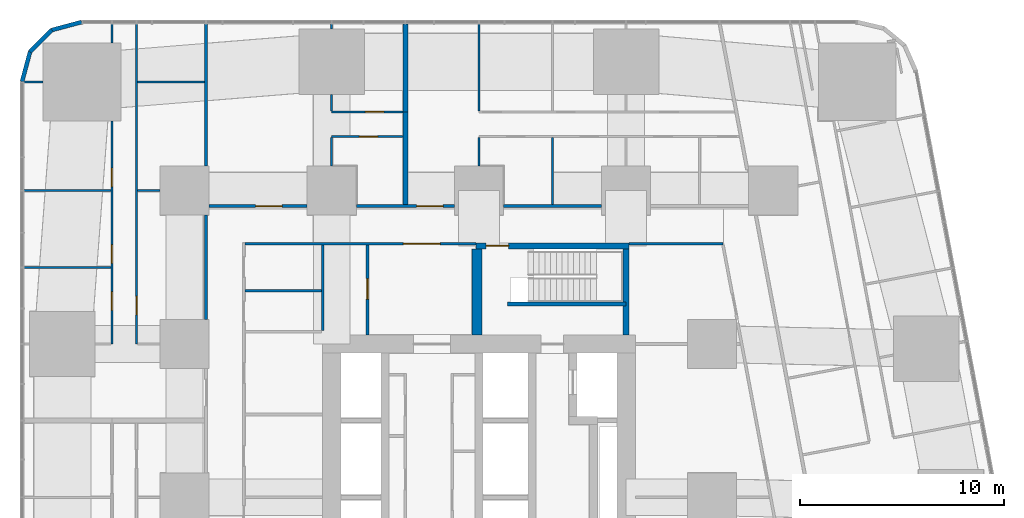
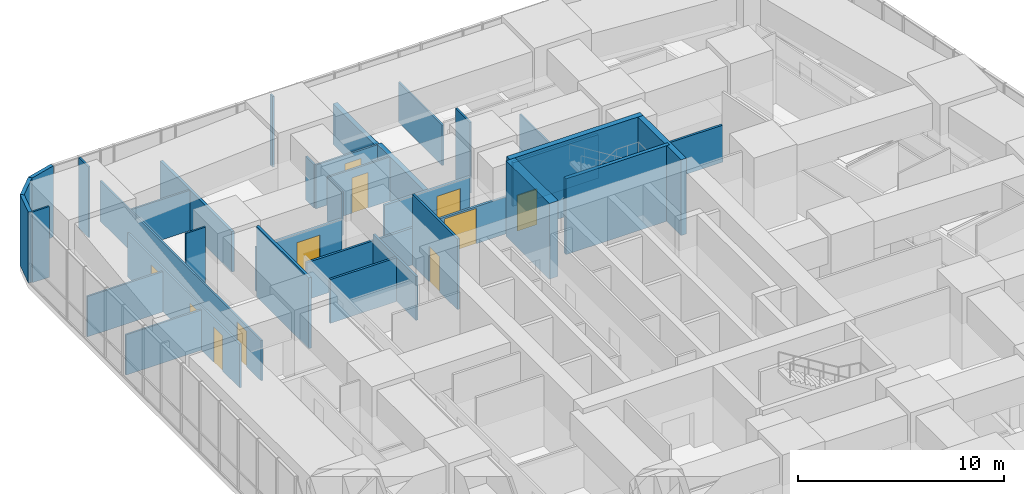
# One storey, part 18 of 23: 35 walls, 11 doors, 11 openings.
"""IFC4 building model written with IfcOpenShell, lengths in metres."""

from ifc_helpers import new_model, si_unit, direction, frame, frame_2d, origin, place, context, subcontext, project, spatial, rectangle, extrude, material, layer, layer_set, type_object, element, fill, save


model = new_model("IFC4")

# Units and contexts
model_context = context("Model", 3, precision=1e-05, world=origin(), true_north=direction((0.0, 1.0)))
body_context = subcontext(model_context, "Body", "Model", "MODEL_VIEW")
ifc_project = project(units=[si_unit("LENGTHUNIT", "METRE"), si_unit("AREAUNIT", "SQUARE_METRE"), si_unit("VOLUMEUNIT", "CUBIC_METRE"), si_unit("PLANEANGLEUNIT", "RADIAN"), si_unit("MASSUNIT", "GRAM", prefix="KILO")], contexts=[model_context])

# Site, building, storey
site_placement = place(None, origin())
site = spatial("IfcSite", under=ifc_project, at=site_placement, CompositionType="ELEMENT")
building_placement = place(site_placement, origin())
building = spatial("IfcBuilding", under=site, at=building_placement, Name="Sheger Commons Tower", CompositionType="ELEMENT")
storey_placement = place(building_placement, frame((0.0, 0.0, 5.60009765625)))
storey = spatial("IfcBuildingStorey", under=building, at=storey_placement, Name="L01", CompositionType="ELEMENT", Elevation=5.60009765625)

# Walls
ifc_material_1 = material(Name="Hollow concrete block masonry, skimmed both sides", Category="masonry")
ifc_layer_1 = layer(ifc_material_1, 0.14990234375)
ifc_layer_set_1 = layer_set([ifc_layer_1], Name="CORRIDOR WALL 150")
wall_type_1 = type_object("IfcWallType", Name="CORRIDOR WALL 150", PredefinedType="SOLIDWALL", material=ifc_layer_set_1)
wall_1_placement = place(storey_placement, frame((8.25, 31.200927734375, 0.0), z_axis=(0.0, 0.0, 1.0), x_axis=(0.0, 1.0, 0.0)))
element("IfcWall", 1, at=wall_1_placement, inside=storey, type_object=wall_type_1, Name="Corridor wall L01", PredefinedType="SOLIDWALL", context=body_context, shape_type="SweptSolid", body=[
    extrude(rectangle(XDim=5.09814453125, YDim=0.14990234375, at=frame_2d((2.549072265625, 0.0))), origin(), (0.0, 0.0, 1.0), 4.199951171875),
])
wall_2_placement = place(storey_placement, frame((8.25, 38.700927734375, 0.0), z_axis=(0.0, 0.0, 1.0), x_axis=(0.0, 1.0, 0.0)))
element("IfcWall", 2, at=wall_2_placement, inside=storey, type_object=wall_type_1, Name="Corridor wall L01", PredefinedType="SOLIDWALL", context=body_context, shape_type="SweptSolid", body=[
    extrude(rectangle(XDim=6.948974609375, YDim=0.14990234375, at=frame_2d((3.474609375, 0.0))), origin(), (0.0, 0.0, 1.0), 2.39990234375),
])

# Wall, opening, door
wall_3_placement = place(storey_placement, frame((8.40087890625, 36.75, 0.0), z_axis=(0.0, 0.0, 1.0), x_axis=(1.0, 0.0, 0.0)))
wall_3 = element("IfcWall", 3, at=wall_3_placement, inside=storey, type_object=wall_type_1, Name="Corridor wall L01", PredefinedType="SOLIDWALL", context=body_context, shape_type="SweptSolid", body=[
    extrude(rectangle(XDim=4.798095703125, YDim=0.14990234375, at=frame_2d((2.39892578125, 0.0))), origin(), (0.0, 0.0, 1.0), 2.599853515625),
])
opening_1_placement = place(wall_3_placement, frame((2.27392578125, 0.0, 0.0)))
opening_1 = element("IfcOpeningElement", 4, at=opening_1_placement, cuts=wall_3, Name="Opening D9", PredefinedType="OPENING", context=body_context, shape_type="SweptSolid", body=[
    extrude(rectangle(XDim=1.300048828125, YDim=2.10009765625, at=frame_2d((0.64990234375, 1.050048828125))), frame((0.0, 0.0849609375, 0.0), z_axis=(0.0, -1.0, 0.0), x_axis=(1.0, 0.0, 0.0)), (0.0, 0.0, 1.0), 0.169921875),
])
ifc_material_2 = material(Name="Steel door set, fire rated", Category="steel")
door_type_1 = type_object("IfcDoorType", Name="CLINIC SUITE DOOR 1300x2100", OperationType="DOUBLE_DOOR_SINGLE_SWING", PredefinedType="DOOR", material=ifc_material_2)
door_1_placement = place(opening_1_placement, origin())
door_1 = element("IfcDoor", 5, at=door_1_placement, inside=storey, type_object=door_type_1, Name="Suite door", OperationType="DOUBLE_DOOR_SINGLE_SWING", OverallHeight=2.10009765625, OverallWidth=1.300048828125, PredefinedType="DOOR", context=body_context, shape_type="SweptSolid", body=[
    extrude(rectangle(XDim=1.300048828125, YDim=2.10009765625, at=frame_2d((0.64990234375, 1.050048828125))), frame((0.0, 0.02490234375, 0.0), z_axis=(0.0, -1.0, 0.0), x_axis=(1.0, 0.0, 0.0)), (0.0, 0.0, 1.0), 0.050048828125),
])
fill(opening_1, door_1)

wall_4_placement = place(storey_placement, frame((15.60107421875, 36.75, 0.0), z_axis=(0.0, 0.0, 1.0), x_axis=(1.0, 0.0, 0.0)))
wall_4 = element("IfcWall", 6, at=wall_4_placement, inside=storey, type_object=wall_type_1, Name="Corridor wall L01", PredefinedType="SOLIDWALL", context=body_context, shape_type="SweptSolid", body=[
    extrude(rectangle(XDim=4.7978515625, YDim=0.14990234375, at=frame_2d((2.39892578125, 0.0))), origin(), (0.0, 0.0, 1.0), 2.599853515625),
])
opening_2_placement = place(wall_4_placement, frame((2.948974609375, 0.0, 0.0)))
opening_2 = element("IfcOpeningElement", 7, at=opening_2_placement, cuts=wall_4, Name="Opening D9", PredefinedType="OPENING", context=body_context, shape_type="SweptSolid", body=[
    extrude(rectangle(XDim=1.300048828125, YDim=2.10009765625, at=frame_2d((0.64990234375, 1.050048828125))), frame((0.0, 0.0849609375, 0.0), z_axis=(0.0, -1.0, 0.0), x_axis=(1.0, 0.0, 0.0)), (0.0, 0.0, 1.0), 0.169921875),
])
door_2_placement = place(opening_2_placement, origin())
door_2 = element("IfcDoor", 8, at=door_2_placement, inside=storey, type_object=door_type_1, Name="Suite door", OperationType="DOUBLE_DOOR_SINGLE_SWING", OverallHeight=2.10009765625, OverallWidth=1.300048828125, PredefinedType="DOOR", context=body_context, shape_type="SweptSolid", body=[
    extrude(rectangle(XDim=1.300048828125, YDim=2.10009765625, at=frame_2d((0.64990234375, 1.050048828125))), frame((0.0, 0.02490234375, 0.0), z_axis=(0.0, -1.0, 0.0), x_axis=(1.0, 0.0, 0.0)), (0.0, 0.0, 1.0), 0.050048828125),
])
fill(opening_2, door_2)

# Walls
wall_5_placement = place(storey_placement, frame((22.801025390625, 36.75, 0.0), z_axis=(0.0, 0.0, 1.0), x_axis=(1.0, 0.0, 0.0)))
element("IfcWall", 9, at=wall_5_placement, inside=storey, type_object=wall_type_1, Name="Corridor wall L01", PredefinedType="SOLIDWALL", context=body_context, shape_type="SweptSolid", body=[
    extrude(rectangle(XDim=4.798095703125, YDim=0.14990234375, at=frame_2d((2.39892578125, 0.0))), origin(), (0.0, 0.0, 1.0), 2.599853515625),
])
ifc_material_3 = material(Name="Dense concrete block masonry, plastered both sides (separating wall between flats)", Category="masonry")
ifc_layer_2 = layer(ifc_material_3, 0.25)
ifc_layer_set_2 = layer_set([ifc_layer_2], Name="DEMISING WALL 250")
wall_type_2 = type_object("IfcWallType", Name="DEMISING WALL 250", PredefinedType="SOLIDWALL", material=ifc_layer_set_2)
wall_6_placement = place(storey_placement, frame((18.0, 41.35009765625, 0.0), z_axis=(0.0, 0.0, 1.0), x_axis=(0.0, 1.0, 0.0)))
element("IfcWall", 10, at=wall_6_placement, inside=storey, type_object=wall_type_2, Name="Demising wall L01", PredefinedType="SOLIDWALL", context=body_context, shape_type="SweptSolid", body=[
    extrude(rectangle(XDim=4.2998046875, YDim=0.25, at=frame_2d((2.14990234375, 0.0))), origin(), (0.0, 0.0, 1.0), 2.39990234375),
])
wall_7_placement = place(storey_placement, frame((18.0, 36.824951171875, 0.0), z_axis=(0.0, 0.0, 1.0), x_axis=(0.0, 1.0, 0.0)))
element("IfcWall", 11, at=wall_7_placement, inside=storey, type_object=wall_type_2, Name="Demising wall L01", PredefinedType="SOLIDWALL", context=body_context, shape_type="SweptSolid", body=[
    extrude(rectangle(XDim=4.525146484375, YDim=0.25, at=frame_2d((2.2626953125, 0.0))), origin(), (0.0, 0.0, 1.0), 2.599853515625),
])
ifc_material_4 = material(Name="Rendered concrete block masonry, dark grey", Category="masonry")
ifc_layer_3 = layer(ifc_material_4, 0.199951171875)
ifc_layer_set_3 = layer_set([ifc_layer_3], Name="FACADE WALL 200")
wall_type_3 = type_object("IfcWallType", Name="FACADE WALL 200", PredefinedType="SOLIDWALL", material=ifc_layer_set_3)
wall_8_placement = place(storey_placement, frame((2.1630859375, 45.75, 0.0), z_axis=(0.0, 0.0, 1.0), x_axis=(-0.965832000415, -0.259168954497, 0.0)))
element("IfcWall", 12, at=wall_8_placement, inside=storey, type_object=wall_type_3, Name="Facade wall L01", PredefinedType="SOLIDWALL", context=body_context, shape_type="SweptSolid", body=[
    extrude(rectangle(XDim=1.512939453125, YDim=0.199951171875, at=frame_2d((0.75634765625, 0.0))), origin(), (0.0, 0.0, 1.0), 4.199951171875),
])
wall_9_placement = place(storey_placement, frame((0.701904296875, 45.35791015625, 0.0), z_axis=(0.0, 0.0, 1.0), x_axis=(-0.707106781187, -0.707106781187, 0.0)))
element("IfcWall", 13, at=wall_9_placement, inside=storey, type_object=wall_type_3, Name="Facade wall L01", PredefinedType="SOLIDWALL", context=body_context, shape_type="SweptSolid", body=[
    extrude(rectangle(XDim=1.498779296875, YDim=0.199951171875, at=frame_2d((0.74951171875, 0.0))), origin(), (0.0, 0.0, 1.0), 4.199951171875),
])
wall_10_placement = place(storey_placement, frame((-0.35791015625, 44.298095703125, 0.0), z_axis=(0.0, 0.0, 1.0), x_axis=(-0.259168954497, -0.965832000415, 0.0)))
element("IfcWall", 14, at=wall_10_placement, inside=storey, type_object=wall_type_3, Name="Facade wall L01", PredefinedType="SOLIDWALL", context=body_context, shape_type="SweptSolid", body=[
    extrude(rectangle(XDim=1.512939453125, YDim=0.199951171875, at=frame_2d((0.75634765625, 0.0))), origin(), (0.0, 0.0, 1.0), 4.199951171875),
])

# Wall, openings, doors
ifc_material_5 = material(Name="Gypsum board on steel studs", Category="steel")
ifc_layer_4 = layer(ifc_material_5, 0.10009765625)
ifc_layer_set_4 = layer_set([ifc_layer_4], Name="PARTITION 100")
wall_type_4 = type_object("IfcWallType", Name="PARTITION 100", PredefinedType="PARTITIONING", material=ifc_layer_set_4)
wall_11_placement = place(storey_placement, frame((3.64990234375, 30.0, 0.0), z_axis=(0.0, 0.0, 1.0), x_axis=(0.0, 1.0, 0.0)))
wall_11 = element("IfcWall", 15, at=wall_11_placement, inside=storey, type_object=wall_type_4, Name="Partition L01", PredefinedType="PARTITIONING", context=body_context, shape_type="SweptSolid", body=[
    extrude(rectangle(XDim=10.9130859375, YDim=0.10009765625, at=frame_2d((5.45654296875, 0.0))), origin(), (0.0, 0.0, 1.0), 2.599853515625),
])
opening_3_placement = place(wall_11_placement, frame((1.64990234375, 0.0, 0.0)))
opening_3 = element("IfcOpeningElement", 16, at=opening_3_placement, cuts=wall_11, Name="Opening D2", PredefinedType="OPENING", context=body_context, shape_type="SweptSolid", body=[
    extrude(rectangle(XDim=0.89990234375, YDim=2.10009765625, at=frame_2d((0.449951171875, 1.050048828125))), frame((0.0, 0.06005859375, 0.0), z_axis=(0.0, -1.0, 0.0), x_axis=(1.0, 0.0, 0.0)), (0.0, 0.0, 1.0), 0.1201171875),
])
opening_4_placement = place(wall_11_placement, frame((3.949951171875, 0.0, 0.0)))
opening_4 = element("IfcOpeningElement", 17, at=opening_4_placement, cuts=wall_11, Name="Opening D2", PredefinedType="OPENING", context=body_context, shape_type="SweptSolid", body=[
    extrude(rectangle(XDim=0.89990234375, YDim=2.10009765625, at=frame_2d((0.449951171875, 1.050048828125))), frame((0.0, 0.06005859375, 0.0), z_axis=(0.0, -1.0, 0.0), x_axis=(1.0, 0.0, 0.0)), (0.0, 0.0, 1.0), 0.1201171875),
])
opening_5_placement = place(wall_11_placement, frame((7.699951171875, 0.0, 0.0)))
opening_5 = element("IfcOpeningElement", 18, at=opening_5_placement, cuts=wall_11, Name="Opening D2", PredefinedType="OPENING", context=body_context, shape_type="SweptSolid", body=[
    extrude(rectangle(XDim=0.89990234375, YDim=2.10009765625, at=frame_2d((0.449951171875, 1.050048828125))), frame((0.0, 0.06005859375, 0.0), z_axis=(0.0, -1.0, 0.0), x_axis=(1.0, 0.0, 0.0)), (0.0, 0.0, 1.0), 0.1201171875),
])
ifc_material_6 = material(Name="Timber door set", Category="wood")
door_type_2 = type_object("IfcDoorType", Name="INTERNAL DOOR 900x2100", OperationType="NOTDEFINED", PredefinedType="DOOR", material=ifc_material_6)
door_3_placement = place(opening_3_placement, origin())
door_3 = element("IfcDoor", 19, at=door_3_placement, inside=storey, type_object=door_type_2, Name="Consulting room door", OperationType="SINGLE_SWING_RIGHT", OverallHeight=2.10009765625, OverallWidth=0.89990234375, PredefinedType="DOOR", context=body_context, shape_type="SweptSolid", body=[
    extrude(rectangle(XDim=0.89990234375, YDim=2.10009765625, at=frame_2d((0.449951171875, 1.050048828125))), frame((0.0, 0.02490234375, 0.0), z_axis=(0.0, -1.0, 0.0), x_axis=(1.0, 0.0, 0.0)), (0.0, 0.0, 1.0), 0.050048828125),
])
fill(opening_3, door_3)
door_4_placement = place(opening_4_placement, origin())
door_4 = element("IfcDoor", 20, at=door_4_placement, inside=storey, type_object=door_type_2, Name="Examination room door", OperationType="SINGLE_SWING_LEFT", OverallHeight=2.10009765625, OverallWidth=0.89990234375, PredefinedType="DOOR", context=body_context, shape_type="SweptSolid", body=[
    extrude(rectangle(XDim=0.89990234375, YDim=2.10009765625, at=frame_2d((0.449951171875, 1.050048828125))), frame((0.0, 0.02490234375, 0.0), z_axis=(0.0, -1.0, 0.0), x_axis=(1.0, 0.0, 0.0)), (0.0, 0.0, 1.0), 0.050048828125),
])
fill(opening_4, door_4)
door_5_placement = place(opening_5_placement, origin())
door_5 = element("IfcDoor", 21, at=door_5_placement, inside=storey, type_object=door_type_2, Name="Consulting room door", OperationType="SINGLE_SWING_LEFT", OverallHeight=2.10009765625, OverallWidth=0.89990234375, PredefinedType="DOOR", context=body_context, shape_type="SweptSolid", body=[
    extrude(rectangle(XDim=0.89990234375, YDim=2.10009765625, at=frame_2d((0.449951171875, 1.050048828125))), frame((0.0, 0.02490234375, 0.0), z_axis=(0.0, -1.0, 0.0), x_axis=(1.0, 0.0, 0.0)), (0.0, 0.0, 1.0), 0.050048828125),
])
fill(opening_5, door_5)

# Wall
wall_12_placement = place(storey_placement, frame((3.64990234375, 44.715087890625, 0.0), z_axis=(0.0, 0.0, 1.0), x_axis=(0.0, 1.0, 0.0)))
element("IfcWall", 22, at=wall_12_placement, inside=storey, type_object=wall_type_4, Name="Partition L01", PredefinedType="PARTITIONING", context=body_context, shape_type="SweptSolid", body=[
    extrude(rectangle(XDim=0.934814453125, YDim=0.10009765625, at=frame_2d((0.46728515625, 0.0))), origin(), (0.0, 0.0, 1.0), 4.199951171875),
])

# Wall, opening, door
wall_13_placement = place(storey_placement, frame((4.85009765625, 30.0, 0.0), z_axis=(0.0, 0.0, 1.0), x_axis=(0.0, 1.0, 0.0)))
wall_13 = element("IfcWall", 23, at=wall_13_placement, inside=storey, type_object=wall_type_4, Name="Partition L01", PredefinedType="PARTITIONING", context=body_context, shape_type="SweptSolid", body=[
    extrude(rectangle(XDim=15.64990234375, YDim=0.10009765625, at=frame_2d((7.824951171875, 0.0))), origin(), (0.0, 0.0, 1.0), 2.39990234375),
])
opening_6_placement = place(wall_13_placement, frame((1.425048828125, 0.0, 0.0)))
opening_6 = element("IfcOpeningElement", 24, at=opening_6_placement, cuts=wall_13, Name="Opening D2", PredefinedType="OPENING", context=body_context, shape_type="SweptSolid", body=[
    extrude(rectangle(XDim=0.89990234375, YDim=2.10009765625, at=frame_2d((0.449951171875, 1.050048828125))), frame((0.0, 0.06005859375, 0.0), z_axis=(0.0, -1.0, 0.0), x_axis=(1.0, 0.0, 0.0)), (0.0, 0.0, 1.0), 0.1201171875),
])
door_6_placement = place(opening_6_placement, origin())
door_6 = element("IfcDoor", 25, at=door_6_placement, inside=storey, type_object=door_type_2, Name="Treatment room door", OperationType="SINGLE_SWING_RIGHT", OverallHeight=2.10009765625, OverallWidth=0.89990234375, PredefinedType="DOOR", context=body_context, shape_type="SweptSolid", body=[
    extrude(rectangle(XDim=0.89990234375, YDim=2.10009765625, at=frame_2d((0.449951171875, 1.050048828125))), frame((0.0, 0.02490234375, 0.0), z_axis=(0.0, -1.0, 0.0), x_axis=(1.0, 0.0, 0.0)), (0.0, 0.0, 1.0), 0.050048828125),
])
fill(opening_6, door_6)

# Walls
for number, where, z_axis, x_axis, name in (
    (26, (-0.64990234375, 33.75, 0.0), (0.0, 0.0, 1.0), (1.0, 0.0, 0.0), "Partition L01"),
    (27, (-0.64990234375, 37.5, 0.0), (0.0, 0.0, 1.0), (1.0, 0.0, 0.0), "Partition L01"),
):
    element("IfcWall", number, at=place(storey_placement, frame(where, z_axis=z_axis, x_axis=x_axis)), inside=storey, type_object=wall_type_4, Name=name, PredefinedType="PARTITIONING", context=body_context, shape_type="SweptSolid", body=[
        extrude(rectangle(XDim=4.25, YDim=0.10009765625, at=frame_2d((2.125, 0.0))), origin(), (0.0, 0.0, 1.0), 2.39990234375),
    ])
wall_14_placement = place(storey_placement, frame((-0.64990234375, 42.81396484375, 0.0), z_axis=(0.0, 0.0, 1.0), x_axis=(1.0, 0.0, 0.0)))
element("IfcWall", 28, at=wall_14_placement, inside=storey, type_object=wall_type_4, Name="Partition L01", PredefinedType="PARTITIONING", context=body_context, shape_type="SweptSolid", body=[
    extrude(rectangle(XDim=0.934814453125, YDim=0.10009765625, at=frame_2d((0.46728515625, 0.0))), origin(), (0.0, 0.0, 1.0), 4.199951171875),
])
wall_15_placement = place(storey_placement, frame((4.89990234375, 37.5, 0.0), z_axis=(0.0, 0.0, 1.0), x_axis=(1.0, 0.0, 0.0)))
element("IfcWall", 29, at=wall_15_placement, inside=storey, type_object=wall_type_4, Name="Partition L01", PredefinedType="PARTITIONING", context=body_context, shape_type="SweptSolid", body=[
    extrude(rectangle(XDim=1.09912109375, YDim=0.10009765625, at=frame_2d((0.549560546875, 0.0))), origin(), (0.0, 0.0, 1.0), 4.199951171875),
])
wall_16_placement = place(storey_placement, frame((4.89990234375, 42.81396484375, 0.0), z_axis=(0.0, 0.0, 1.0), x_axis=(1.0, 0.0, 0.0)))
element("IfcWall", 30, at=wall_16_placement, inside=storey, type_object=wall_type_4, Name="Partition L01", PredefinedType="PARTITIONING", context=body_context, shape_type="SweptSolid", body=[
    extrude(rectangle(XDim=3.275146484375, YDim=0.10009765625, at=frame_2d((1.6376953125, 0.0))), origin(), (0.0, 0.0, 1.0), 2.39990234375),
])

# Wall, opening, door
wall_17_placement = place(storey_placement, frame((14.39990234375, 41.35009765625, 0.0), z_axis=(0.0, 0.0, 1.0), x_axis=(1.0, 0.0, 0.0)))
wall_17 = element("IfcWall", 31, at=wall_17_placement, inside=storey, type_object=wall_type_4, Name="Partition L01", PredefinedType="PARTITIONING", context=body_context, shape_type="SweptSolid", body=[
    extrude(rectangle(XDim=3.47509765625, YDim=0.10009765625, at=frame_2d((1.737548828125, 0.0))), origin(), (0.0, 0.0, 1.0), 2.599853515625),
])
opening_7_placement = place(wall_17_placement, frame((1.64990234375, 0.0, 0.0)))
opening_7 = element("IfcOpeningElement", 32, at=opening_7_placement, cuts=wall_17, Name="Opening D2", PredefinedType="OPENING", context=body_context, shape_type="SweptSolid", body=[
    extrude(rectangle(XDim=0.89990234375, YDim=2.10009765625, at=frame_2d((0.449951171875, 1.050048828125))), frame((0.0, 0.06005859375, 0.0), z_axis=(0.0, -1.0, 0.0), x_axis=(1.0, 0.0, 0.0)), (0.0, 0.0, 1.0), 0.1201171875),
])
door_7_placement = place(opening_7_placement, origin())
door_7 = element("IfcDoor", 33, at=door_7_placement, inside=storey, type_object=door_type_2, Name="Consulting room door", OperationType="SINGLE_SWING_RIGHT", OverallHeight=2.10009765625, OverallWidth=0.89990234375, PredefinedType="DOOR", context=body_context, shape_type="SweptSolid", body=[
    extrude(rectangle(XDim=0.89990234375, YDim=2.10009765625, at=frame_2d((0.449951171875, 1.050048828125))), frame((0.0, 0.02490234375, 0.0), z_axis=(0.0, -1.0, 0.0), x_axis=(1.0, 0.0, 0.0)), (0.0, 0.0, 1.0), 0.050048828125),
])
fill(opening_7, door_7)

wall_18_placement = place(storey_placement, frame((14.39990234375, 40.14990234375, 0.0), z_axis=(0.0, 0.0, 1.0), x_axis=(1.0, 0.0, 0.0)))
wall_18 = element("IfcWall", 34, at=wall_18_placement, inside=storey, type_object=wall_type_4, Name="Partition L01", PredefinedType="PARTITIONING", context=body_context, shape_type="SweptSolid", body=[
    extrude(rectangle(XDim=3.47509765625, YDim=0.10009765625, at=frame_2d((1.737548828125, 0.0))), origin(), (0.0, 0.0, 1.0), 2.599853515625),
])
opening_8_placement = place(wall_18_placement, frame((1.35009765625, 0.0, 0.0)))
opening_8 = element("IfcOpeningElement", 35, at=opening_8_placement, cuts=wall_18, Name="Opening D2", PredefinedType="OPENING", context=body_context, shape_type="SweptSolid", body=[
    extrude(rectangle(XDim=0.89990234375, YDim=2.10009765625, at=frame_2d((0.449951171875, 1.050048828125))), frame((0.0, 0.06005859375, 0.0), z_axis=(0.0, -1.0, 0.0), x_axis=(1.0, 0.0, 0.0)), (0.0, 0.0, 1.0), 0.1201171875),
])
door_8_placement = place(opening_8_placement, origin())
door_8 = element("IfcDoor", 36, at=door_8_placement, inside=storey, type_object=door_type_2, Name="Patient WC door", OperationType="SINGLE_SWING_LEFT", OverallHeight=2.10009765625, OverallWidth=0.89990234375, PredefinedType="DOOR", context=body_context, shape_type="SweptSolid", body=[
    extrude(rectangle(XDim=0.89990234375, YDim=2.10009765625, at=frame_2d((0.449951171875, 1.050048828125))), frame((0.0, 0.02490234375, 0.0), z_axis=(0.0, -1.0, 0.0), x_axis=(1.0, 0.0, 0.0)), (0.0, 0.0, 1.0), 0.050048828125),
])
fill(opening_8, door_8)

# Walls
wall_19_placement = place(storey_placement, frame((14.39990234375, 41.39990234375, 0.0), z_axis=(0.0, 0.0, 1.0), x_axis=(0.0, 1.0, 0.0)))
element("IfcWall", 37, at=wall_19_placement, inside=storey, type_object=wall_type_4, Name="Partition L01", PredefinedType="PARTITIONING", context=body_context, shape_type="SweptSolid", body=[
    extrude(rectangle(XDim=0.799072265625, YDim=0.10009765625, at=frame_2d((0.3994140625, 0.0))), origin(), (0.0, 0.0, 1.0), 2.599853515625),
])
wall_20_placement = place(storey_placement, frame((14.39990234375, 45.40087890625, 0.0), z_axis=(0.0, 0.0, 1.0), x_axis=(0.0, 1.0, 0.0)))
element("IfcWall", 38, at=wall_20_placement, inside=storey, type_object=wall_type_4, Name="Partition L01", PredefinedType="PARTITIONING", context=body_context, shape_type="SweptSolid", body=[
    extrude(rectangle(XDim=0.2490234375, YDim=0.10009765625, at=frame_2d((0.12451171875, 0.0))), origin(), (0.0, 0.0, 1.0), 4.199951171875),
])
wall_21_placement = place(storey_placement, frame((14.39990234375, 38.700927734375, 0.0), z_axis=(0.0, 0.0, 1.0), x_axis=(0.0, 1.0, 0.0)))
element("IfcWall", 39, at=wall_21_placement, inside=storey, type_object=wall_type_4, Name="Partition L01", PredefinedType="PARTITIONING", context=body_context, shape_type="SweptSolid", body=[
    extrude(rectangle(XDim=1.399169921875, YDim=0.10009765625, at=frame_2d((0.69970703125, 0.0))), origin(), (0.0, 0.0, 1.0), 2.599853515625),
])
wall_22_placement = place(storey_placement, frame((21.60009765625, 41.39990234375, 0.0), z_axis=(0.0, 0.0, 1.0), x_axis=(0.0, 1.0, 0.0)))
element("IfcWall", 40, at=wall_22_placement, inside=storey, type_object=wall_type_4, Name="Partition L01", PredefinedType="PARTITIONING", context=body_context, shape_type="SweptSolid", body=[
    extrude(rectangle(XDim=4.25, YDim=0.10009765625, at=frame_2d((2.125, 0.0))), origin(), (0.0, 0.0, 1.0), 2.39990234375),
])
wall_23_placement = place(storey_placement, frame((21.60009765625, 38.700927734375, 0.0), z_axis=(0.0, 0.0, 1.0), x_axis=(0.0, 1.0, 0.0)))
element("IfcWall", 41, at=wall_23_placement, inside=storey, type_object=wall_type_4, Name="Partition L01", PredefinedType="PARTITIONING", context=body_context, shape_type="SweptSolid", body=[
    extrude(rectangle(XDim=1.399169921875, YDim=0.10009765625, at=frame_2d((0.69970703125, 0.0))), origin(), (0.0, 0.0, 1.0), 4.199951171875),
])
wall_24_placement = place(storey_placement, frame((25.199951171875, 36.824951171875, 0.0), z_axis=(0.0, 0.0, 1.0), x_axis=(0.0, 1.0, 0.0)))
element("IfcWall", 42, at=wall_24_placement, inside=storey, type_object=wall_type_4, Name="Partition L01", PredefinedType="PARTITIONING", context=body_context, shape_type="SweptSolid", body=[
    extrude(rectangle(XDim=3.275146484375, YDim=0.10009765625, at=frame_2d((1.6376953125, 0.0))), origin(), (0.0, 0.0, 1.0), 2.599853515625),
])
ifc_material_7 = material(Name="Gypsum board on steel studs, two layers each side, fire rated", Category="steel")
ifc_layer_5 = layer(ifc_material_7, 0.125)
ifc_layer_set_5 = layer_set([ifc_layer_5], Name="SERVICE WALL 125")
wall_type_5 = type_object("IfcWallType", Name="SERVICE WALL 125", PredefinedType="PARTITIONING", material=ifc_layer_set_5)
wall_25_placement = place(storey_placement, frame((13.949951171875, 30.6630859375, 0.0), z_axis=(0.0, 0.0, 1.0), x_axis=(0.0, 1.0, 0.0)))
element("IfcWall", 43, at=wall_25_placement, inside=storey, type_object=wall_type_5, Name="Service room wall L01", PredefinedType="PARTITIONING", context=body_context, shape_type="SweptSolid", body=[
    extrude(rectangle(XDim=4.173828125, YDim=0.125, at=frame_2d((2.0869140625, 0.0))), origin(), (0.0, 0.0, 1.0), 2.599853515625),
])

# Wall, opening, door
wall_26_placement = place(storey_placement, frame((10.1630859375, 34.89990234375, 0.0), z_axis=(0.0, 0.0, 1.0), x_axis=(1.0, 0.0, 0.0)))
wall_26 = element("IfcWall", 44, at=wall_26_placement, inside=storey, type_object=wall_type_5, Name="Service room wall L01", PredefinedType="PARTITIONING", context=body_context, shape_type="SweptSolid", body=[
    extrude(rectangle(XDim=11.286865234375, YDim=0.125, at=frame_2d((5.6435546875, 0.0))), origin(), (0.0, 0.0, 1.0), 2.199951171875),
])
opening_9_placement = place(wall_26_placement, frame((7.737060546875, 0.0, 0.0)))
opening_9 = element("IfcOpeningElement", 45, at=opening_9_placement, cuts=wall_26, Name="Opening D6", PredefinedType="OPENING", context=body_context, shape_type="SweptSolid", body=[
    extrude(rectangle(XDim=1.800048828125, YDim=2.10009765625, at=frame_2d((0.89990234375, 1.050048828125))), frame((0.0, 0.072509765625, 0.0), z_axis=(0.0, -1.0, 0.0), x_axis=(1.0, 0.0, 0.0)), (0.0, 0.0, 1.0), 0.14501953125),
])
ifc_material_8 = material(Name="Steel door set, fire rated", Category="steel")
door_type_3 = type_object("IfcDoorType", Name="LOBBY DOUBLE DOOR 1800x2100", OperationType="DOUBLE_DOOR_SINGLE_SWING", PredefinedType="DOOR", material=ifc_material_8)
door_9_placement = place(opening_9_placement, origin())
door_9 = element("IfcDoor", 46, at=door_9_placement, inside=storey, type_object=door_type_3, Name="Lift lobby north door", OperationType="DOUBLE_DOOR_SINGLE_SWING", OverallHeight=2.10009765625, OverallWidth=1.800048828125, PredefinedType="DOOR", context=body_context, shape_type="SweptSolid", body=[
    extrude(rectangle(XDim=1.800048828125, YDim=2.10009765625, at=frame_2d((0.89990234375, 1.050048828125))), frame((0.0, 0.02490234375, 0.0), z_axis=(0.0, -1.0, 0.0), x_axis=(1.0, 0.0, 0.0)), (0.0, 0.0, 1.0), 0.050048828125),
])
fill(opening_9, door_9)

wall_27_placement = place(storey_placement, frame((16.14990234375, 30.449951171875, 0.0), z_axis=(0.0, 0.0, 1.0), x_axis=(0.0, 1.0, 0.0)))
wall_27 = element("IfcWall", 47, at=wall_27_placement, inside=storey, type_object=wall_type_5, Name="Service room wall L01", PredefinedType="PARTITIONING", context=body_context, shape_type="SweptSolid", body=[
    extrude(rectangle(XDim=4.386962890625, YDim=0.125, at=frame_2d((2.193359375, 0.0))), origin(), (0.0, 0.0, 1.0), 4.199951171875),
])
opening_10_placement = place(wall_27_placement, frame((1.75, 0.0, 0.0)))
opening_10 = element("IfcOpeningElement", 48, at=opening_10_placement, cuts=wall_27, Name="Opening D4", PredefinedType="OPENING", context=body_context, shape_type="SweptSolid", body=[
    extrude(rectangle(XDim=1.0, YDim=2.10009765625, at=frame_2d((0.5, 1.050048828125))), frame((0.0, 0.072509765625, 0.0), z_axis=(0.0, -1.0, 0.0), x_axis=(1.0, 0.0, 0.0)), (0.0, 0.0, 1.0), 0.14501953125),
])
ifc_material_9 = material(Name="Steel door set, fire rated", Category="steel")
door_type_4 = type_object("IfcDoorType", Name="SERVICE DOOR 1000x2100", OperationType="NOTDEFINED", PredefinedType="DOOR", material=ifc_material_9)
door_10_placement = place(opening_10_placement, origin())
door_10 = element("IfcDoor", 49, at=door_10_placement, inside=storey, type_object=door_type_4, Name="Telecom room door", OperationType="SINGLE_SWING_RIGHT", OverallHeight=2.10009765625, OverallWidth=1.0, PredefinedType="DOOR", context=body_context, shape_type="SweptSolid", body=[
    extrude(rectangle(XDim=1.0, YDim=2.10009765625, at=frame_2d((0.5, 1.050048828125))), frame((0.0, 0.02490234375, 0.0), z_axis=(0.0, -1.0, 0.0), x_axis=(1.0, 0.0, 0.0)), (0.0, 0.0, 1.0), 0.050048828125),
])
fill(opening_10, door_10)

# Walls
wall_28_placement = place(storey_placement, frame((28.949951171875, 34.89990234375, 0.0), z_axis=(0.0, 0.0, 1.0), x_axis=(1.0, 0.0, 0.0)))
element("IfcWall", 50, at=wall_28_placement, inside=storey, type_object=wall_type_5, Name="Service room wall L01", PredefinedType="PARTITIONING", context=body_context, shape_type="SweptSolid", body=[
    extrude(rectangle(XDim=4.588134765625, YDim=0.125, at=frame_2d((2.2939453125, 0.0))), origin(), (0.0, 0.0, 1.0), 2.199951171875),
])
wall_29_placement = place(storey_placement, frame((10.1630859375, 32.60009765625, 0.0), z_axis=(0.0, 0.0, 1.0), x_axis=(1.0, 0.0, 0.0)))
element("IfcWall", 51, at=wall_29_placement, inside=storey, type_object=wall_type_5, Name="Service room wall L01", PredefinedType="PARTITIONING", context=body_context, shape_type="SweptSolid", body=[
    extrude(rectangle(XDim=3.724853515625, YDim=0.125, at=frame_2d((1.8623046875, 0.0))), origin(), (0.0, 0.0, 1.0), 2.599853515625),
])

# Wall, opening, door
ifc_material_10 = material(Name="Concrete C50/60", Category="concrete")
ifc_layer_6 = layer(ifc_material_10, 0.300048828125)
ifc_layer_set_6 = layer_set([ifc_layer_6], Name="STAIR CORE WALL 300")
wall_type_6 = type_object("IfcWallType", Name="STAIR CORE WALL 300", PredefinedType="SHEAR", material=ifc_layer_set_6)
wall_30_placement = place(storey_placement, frame((21.449951171875, 34.800048828125, 0.0), z_axis=(0.0, 0.0, 1.0), x_axis=(1.0, 0.0, 0.0)))
wall_30 = element("IfcWall", 52, at=wall_30_placement, inside=storey, type_object=wall_type_6, Name="STW-L01-S2N", PredefinedType="SHEAR", context=body_context, shape_type="SweptSolid", body=[
    extrude(rectangle(XDim=7.5, YDim=0.300048828125, at=frame_2d((3.75, 0.0))), origin(), (0.0, 0.0, 1.0), 4.5),
])
opening_11_placement = place(wall_30_placement, frame((0.5, 0.0, 0.0)))
opening_11 = element("IfcOpeningElement", 53, at=opening_11_placement, cuts=wall_30, Name="Opening D5", PredefinedType="OPENING", context=body_context, shape_type="SweptSolid", body=[
    extrude(rectangle(XDim=1.10009765625, YDim=2.10009765625, at=frame_2d((0.550048828125, 1.050048828125))), frame((0.0, 0.159912109375, 0.0), z_axis=(0.0, -1.0, 0.0), x_axis=(1.0, 0.0, 0.0)), (0.0, 0.0, 1.0), 0.320068359375),
])
ifc_material_11 = material(Name="Steel door set, fire rated", Category="steel")
door_type_5 = type_object("IfcDoorType", Name="STAIR DOOR 1100x2100", OperationType="NOTDEFINED", PredefinedType="DOOR", material=ifc_material_11)
door_11_placement = place(opening_11_placement, origin())
door_11 = element("IfcDoor", 54, at=door_11_placement, inside=storey, type_object=door_type_5, Name="Stair S2 door", OperationType="SINGLE_SWING_RIGHT", OverallHeight=2.10009765625, OverallWidth=1.10009765625, PredefinedType="DOOR", context=body_context, shape_type="SweptSolid", body=[
    extrude(rectangle(XDim=1.10009765625, YDim=2.10009765625, at=frame_2d((0.550048828125, 1.050048828125))), frame((0.0, 0.02490234375, 0.0), z_axis=(0.0, -1.0, 0.0), x_axis=(1.0, 0.0, 0.0)), (0.0, 0.0, 1.0), 0.050048828125),
])
fill(opening_11, door_11)

# Walls
wall_31_placement = place(storey_placement, frame((28.800048828125, 30.449951171875, 0.0), z_axis=(0.0, 0.0, 1.0), x_axis=(0.0, 1.0, 0.0)))
element("IfcWall", 55, at=wall_31_placement, inside=storey, type_object=wall_type_6, Name="STW-L01-S2E", PredefinedType="SHEAR", context=body_context, shape_type="SweptSolid", body=[
    extrude(rectangle(XDim=4.199951171875, YDim=0.300048828125, at=frame_2d((2.10009765625, 0.0))), origin(), (0.0, 0.0, 1.0), 4.5),
])
ifc_material_12 = material(Name="Concrete C50/60", Category="concrete")
ifc_layer_7 = layer(ifc_material_12, 0.5)
ifc_layer_set_7 = layer_set([ifc_layer_7], Name="STAIR CORE WALL 500")
wall_type_7 = type_object("IfcWallType", Name="STAIR CORE WALL 500", PredefinedType="SHEAR", material=ifc_layer_set_7)
wall_32_placement = place(storey_placement, frame((21.5, 30.449951171875, 0.0), z_axis=(0.0, 0.0, 1.0), x_axis=(0.0, 1.0, 0.0)))
element("IfcWall", 56, at=wall_32_placement, inside=storey, type_object=wall_type_7, Name="STW-L01-S2W", PredefinedType="SHEAR", context=body_context, shape_type="SweptSolid", body=[
    extrude(rectangle(XDim=4.199951171875, YDim=0.5, at=frame_2d((2.10009765625, 0.0))), origin(), (0.0, 0.0, 1.0), 4.5),
])
ifc_material_13 = material(Name="Concrete C50/60", Category="concrete")
ifc_layer_8 = layer(ifc_material_13, 0.199951171875)
ifc_layer_set_8 = layer_set([ifc_layer_8], Name="STAIR SPINE WALL 200")
wall_type_8 = type_object("IfcWallType", Name="STAIR SPINE WALL 200", PredefinedType="SHEAR", material=ifc_layer_set_8)
wall_33_placement = place(storey_placement, frame((23.0, 31.949951171875, 0.0), z_axis=(0.0, 0.0, 1.0), x_axis=(1.0, 0.0, 0.0)))
element("IfcWall", 57, at=wall_33_placement, inside=storey, type_object=wall_type_8, Name="Stair spine wall L01", PredefinedType="SHEAR", context=body_context, shape_type="SweptSolid", body=[
    extrude(rectangle(XDim=5.800048828125, YDim=0.199951171875, at=frame_2d((2.89990234375, 0.0))), origin(), (0.0, 0.0, 1.0), 4.5),
])

save(model, "model.ifc")
